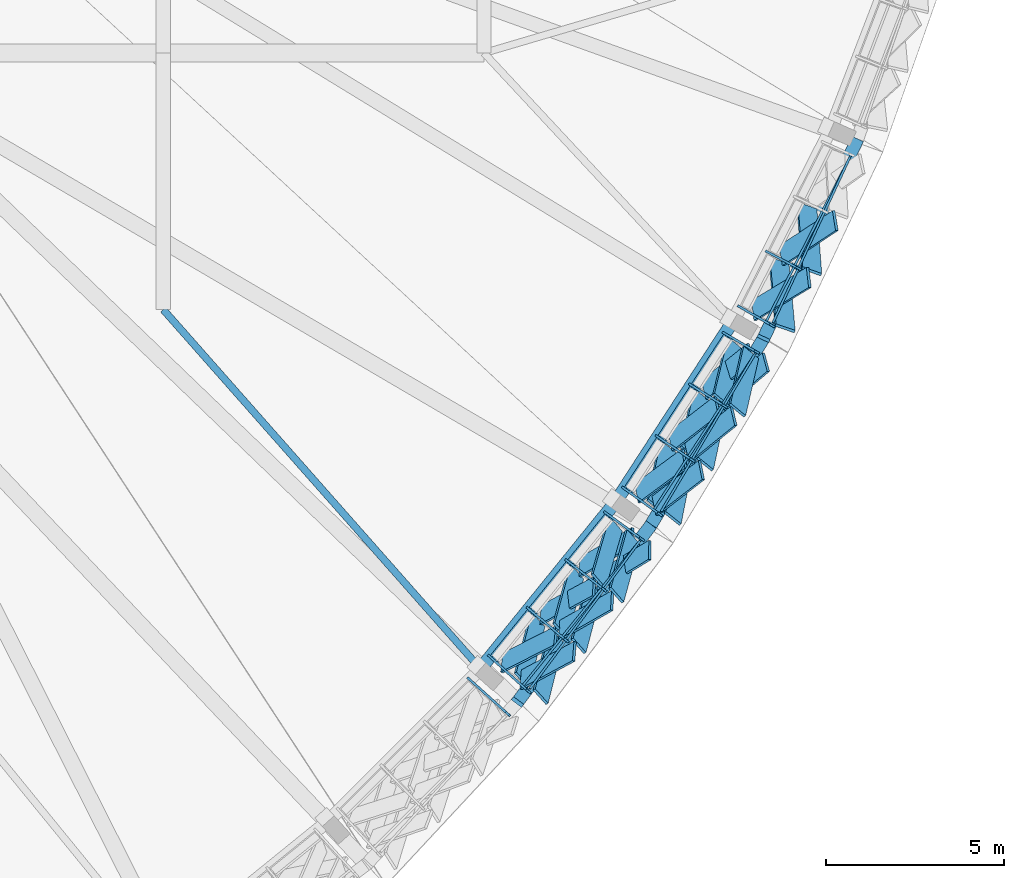
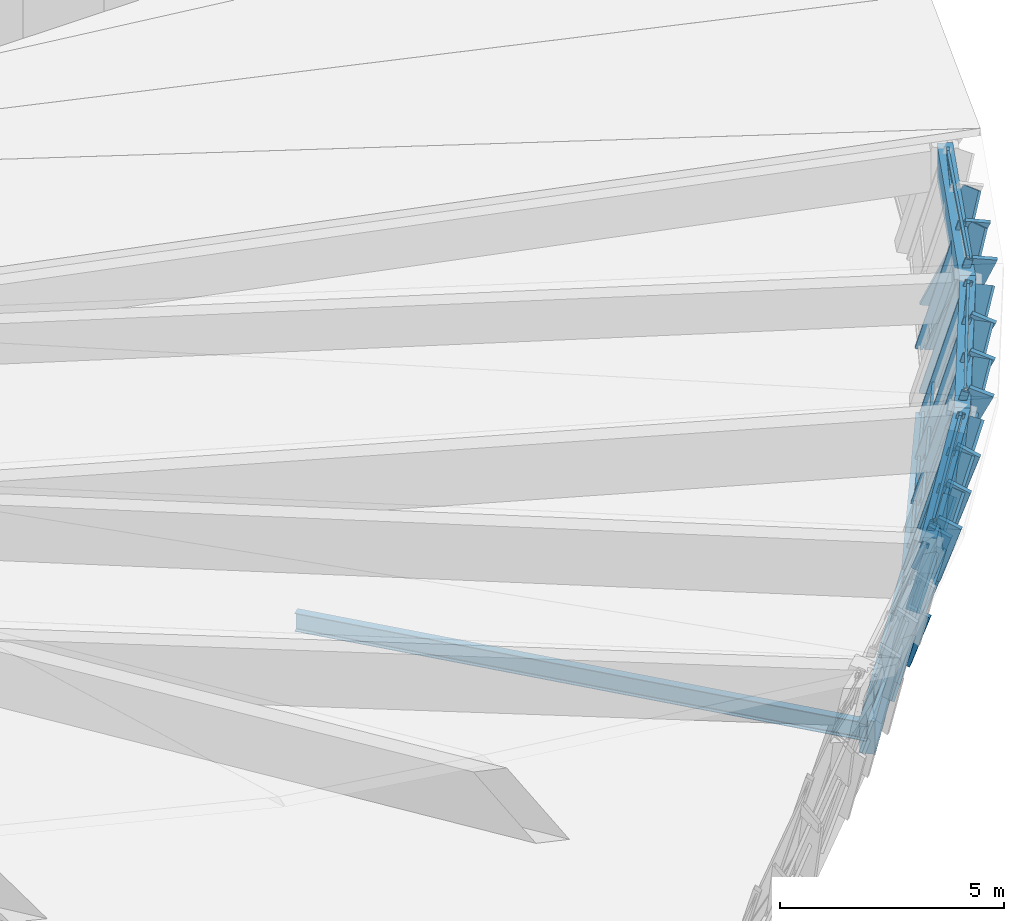
# One storey, part 6 of 11: 49 members, 6 beams, 4 elements without a shape of their own.
"""IFC4 building model written with IfcOpenShell, lengths in metres."""

from ifc_helpers import new_model, si_unit, direction, frame, origin, origin_2d, place, context, subcontext, project, spatial, rectangle, hollow_rectangle, i_section, extrude, material, material_profile, profile_set, type_object, element, aggregate, save


model = new_model("IFC4")

# Units and contexts
model_context = context("Model", 3, precision=1e-05, world=origin(), true_north=direction((0.0, 1.0)))
body_context = subcontext(model_context, "Body", "Model", "MODEL_VIEW")
ifc_project = project(units=[si_unit("LENGTHUNIT", "METRE"), si_unit("AREAUNIT", "SQUARE_METRE"), si_unit("VOLUMEUNIT", "CUBIC_METRE"), si_unit("PLANEANGLEUNIT", "RADIAN"), si_unit("MASSUNIT", "GRAM", prefix="KILO")], contexts=[model_context])

# Site, building, storey
site_placement = place(None, origin())
site = spatial("IfcSite", under=ifc_project, at=site_placement, CompositionType="ELEMENT")
building_placement = place(site_placement, origin())
building = spatial("IfcBuilding", under=site, at=building_placement, Name="Chiffa Square Polytechnic", CompositionType="ELEMENT")
storey_placement = place(building_placement, frame((0.0, 0.0, 30.60009765625)))
storey = spatial("IfcBuildingStorey", under=building, at=storey_placement, Name="ROOF", CompositionType="ELEMENT", Elevation=30.60009765625)

# Beam
ifc_material_1 = material(Name="Steel S355", Category="steel")
ifc_material_profile_1 = material_profile(ifc_material_1, i_section(OverallWidth=0.199951171875, OverallDepth=0.5, WebThickness=0.01025390625, FlangeThickness=0.01611328125, FilletRadius=0.02099609375, at=origin_2d()), Name="IPE 500")
ifc_profile_set_1 = profile_set([ifc_material_profile_1], Name="Steel S355")
beam_type_1 = type_object("IfcBeamType", Name="BM-STL-IPE500", PredefinedType="BEAM", material=ifc_profile_set_1)
beam_1_placement = place(storey_placement, frame((166.10205078125, 18.720947265625, -1.22998046875), z_axis=(-0.661988438722, 0.749514047232, 0.0), x_axis=(-0.749514047232, -0.661988438722, 0.0)))
element("IfcBeam", 1, at=beam_1_placement, inside=storey, type_object=beam_type_1, Name="Prow attic radial tie girder BM-V1-RAD-ROOF-11", PredefinedType="BEAM", context=body_context, shape_type="SweptSolid", body=[
    extrude(i_section(OverallWidth=0.199951171875, OverallDepth=0.5, WebThickness=0.01025390625, FlangeThickness=0.01611328125, FilletRadius=0.02099609375, at=origin_2d()), origin(), (0.0, 0.0, 1.0), 13.447509765625),
])

# Curtain wall, member
ifc_material_2 = material(Name="Aluminium EN AW-6060 T66 and glulam shading", Category="wood")
curtain_wall_type_1 = type_object("IfcCurtainWallType", Name="CW-PROW-LEAN-300", PredefinedType="USERDEFINED", material=ifc_material_2)
curtain_wall_1_placement = place(storey_placement, origin())
curtain_wall_1 = element("IfcCurtainWall", 2, at=curtain_wall_1_placement, inside=storey, type_object=curtain_wall_type_1, Name="Outward-leaning diamond-fin prow curtain wall CW-V1-ROOF-119", ObjectType="CURTAIN WALL", PredefinedType="USERDEFINED")
ifc_material_3 = material(Name="Aluminium EN AW-6060 T66", Category="aluminium")
ifc_material_profile_2 = material_profile(ifc_material_3, hollow_rectangle(XDim=0.06494140625, YDim=0.179931640625, WallThickness=0.00390625, at=origin_2d()), Name="ALU 65x180x4")
ifc_profile_set_2 = profile_set([ifc_material_profile_2], Name="Aluminium EN AW-6060 T66")
member_type_1 = type_object("IfcMemberType", Name="CWM-ALU-75X180", PredefinedType="MULLION", material=ifc_profile_set_2)
member_1_placement = place(storey_placement, frame((165.798095703125, 18.4169921875, -0.75), z_axis=(0.202261788775, -0.182182642547, 0.962236797029), x_axis=(0.669263095759, 0.743025510097, 0.0)))
member_1 = element("IfcMember", 3, at=member_1_placement, type_object=member_type_1, Name="Leaning prow mullion CW-V1-ROOF-119-M03", PredefinedType="MULLION", context=body_context, shape_type="SweptSolid", body=[
    extrude(hollow_rectangle(XDim=0.06494140625, YDim=0.179931640625, WallThickness=0.00390625, at=origin_2d()), origin(), (0.0, 0.0, 1.0), 5.3134765625),
])
aggregate(curtain_wall_1, [member_1])

# Curtain wall, members
curtain_wall_type_2 = type_object("IfcCurtainWallType", Name="CW-PROW-LEAN-150", PredefinedType="USERDEFINED", material=ifc_material_2)
curtain_wall_2_placement = place(storey_placement, origin())
curtain_wall_2 = element("IfcCurtainWall", 4, at=curtain_wall_2_placement, inside=storey, type_object=curtain_wall_type_2, Name="Outward-leaning diamond-fin prow curtain wall CW-V1-ROOF-120", ObjectType="CURTAIN WALL", PredefinedType="USERDEFINED")
member_2_placement = place(storey_placement, frame((166.373046875, 19.054931640625, -0.75), z_axis=(0.202348228323, -0.182223677004, 0.962210853209), x_axis=(0.669188433461, 0.743092753647, 0.0)))
member_2 = element("IfcMember", 5, at=member_2_placement, type_object=member_type_1, Name="Leaning prow mullion CW-V1-ROOF-120-M00", PredefinedType="MULLION", context=body_context, shape_type="SweptSolid", body=[
    extrude(hollow_rectangle(XDim=0.06494140625, YDim=0.179931640625, WallThickness=0.00390625, at=origin_2d()), origin(), (0.0, 0.0, 1.0), 5.3134765625),
])
member_3_placement = place(storey_placement, frame((167.4599609375, 20.397705078125, -0.75), z_axis=(0.208319393809, -0.17488004783, 0.962299329229), x_axis=(0.642958729374, 0.765900824077, 0.0)))
member_3 = element("IfcMember", 6, at=member_3_placement, type_object=member_type_1, Name="Leaning prow mullion CW-V1-ROOF-120-M01", PredefinedType="MULLION", context=body_context, shape_type="SweptSolid", body=[
    extrude(hollow_rectangle(XDim=0.06494140625, YDim=0.179931640625, WallThickness=0.00390625, at=origin_2d()), origin(), (0.0, 0.0, 1.0), 5.05224609375),
])
member_4_placement = place(storey_placement, frame((168.547119140625, 21.740234375, -0.75), z_axis=(0.214260071148, -0.167484626365, 0.962310512175), x_axis=(0.615858536596, 0.78785675278, 0.0)))
member_4 = element("IfcMember", 7, at=member_4_placement, type_object=member_type_1, Name="Leaning prow mullion CW-V1-ROOF-120-M02", PredefinedType="MULLION", context=body_context, shape_type="SweptSolid", body=[
    extrude(hollow_rectangle(XDim=0.06494140625, YDim=0.179931640625, WallThickness=0.00390625, at=origin_2d()), origin(), (0.0, 0.0, 1.0), 4.79150390625),
])
member_5_placement = place(storey_placement, frame((169.634033203125, 23.0830078125, -0.75), z_axis=(0.220215937418, -0.160083569872, 0.962225644828), x_axis=(0.587995167973, 0.808864440089, 0.0)))
member_5 = element("IfcMember", 8, at=member_5_placement, type_object=member_type_1, Name="Leaning prow mullion CW-V1-ROOF-120-M03", PredefinedType="MULLION", context=body_context, shape_type="SweptSolid", body=[
    extrude(hollow_rectangle(XDim=0.06494140625, YDim=0.179931640625, WallThickness=0.00390625, at=origin_2d()), origin(), (0.0, 0.0, 1.0), 4.531005859375),
])

curtain_wall_3_placement = place(storey_placement, origin())
curtain_wall_3 = element("IfcCurtainWall", 9, at=curtain_wall_3_placement, inside=storey, type_object=curtain_wall_type_1, Name="Outward-leaning diamond-fin prow curtain wall CW-V1-ROOF-121", ObjectType="CURTAIN WALL", PredefinedType="USERDEFINED")
member_6_placement = place(storey_placement, frame((170.138916015625, 23.778076171875, -0.75), z_axis=(0.220320371841, -0.160027269349, 0.962211103042), x_axis=(0.587677444687, 0.809095310211, 0.0)))
member_6 = element("IfcMember", 10, at=member_6_placement, type_object=member_type_1, Name="Leaning prow mullion CW-V1-ROOF-121-M00", PredefinedType="MULLION", context=body_context, shape_type="SweptSolid", body=[
    extrude(hollow_rectangle(XDim=0.06494140625, YDim=0.179931640625, WallThickness=0.00390625, at=origin_2d()), origin(), (0.0, 0.0, 1.0), 4.531005859375),
])
member_7_placement = place(storey_placement, frame((171.080078125, 25.226806640625, -0.75), z_axis=(0.225461824855, -0.152131178257, 0.962300924937), x_axis=(0.559332528809, 0.828943376966, 0.0)))
member_7 = element("IfcMember", 11, at=member_7_placement, type_object=member_type_1, Name="Leaning prow mullion CW-V1-ROOF-121-M01", PredefinedType="MULLION", context=body_context, shape_type="SweptSolid", body=[
    extrude(hollow_rectangle(XDim=0.06494140625, YDim=0.179931640625, WallThickness=0.00390625, at=origin_2d()), origin(), (0.0, 0.0, 1.0), 4.284912109375),
])
member_8_placement = place(storey_placement, frame((172.02099609375, 26.67529296875, -0.75), z_axis=(0.230603550643, -0.144164998239, 0.962308919066), x_axis=(0.530098830106, 0.847935864509, 0.0)))
member_8 = element("IfcMember", 12, at=member_8_placement, type_object=member_type_1, Name="Leaning prow mullion CW-V1-ROOF-121-M02", PredefinedType="MULLION", context=body_context, shape_type="SweptSolid", body=[
    extrude(hollow_rectangle(XDim=0.06494140625, YDim=0.179931640625, WallThickness=0.00390625, at=origin_2d()), origin(), (0.0, 0.0, 1.0), 4.0390625),
])
member_9_placement = place(storey_placement, frame((172.9619140625, 28.1240234375, -0.75), z_axis=(0.235699424806, -0.136193332302, 0.96223549996), x_axis=(0.500309111335, 0.865846864702, 0.0)))
member_9 = element("IfcMember", 13, at=member_9_placement, type_object=member_type_1, Name="Leaning prow mullion CW-V1-ROOF-121-M03", PredefinedType="MULLION", context=body_context, shape_type="SweptSolid", body=[
    extrude(hollow_rectangle(XDim=0.06494140625, YDim=0.179931640625, WallThickness=0.00390625, at=origin_2d()), origin(), (0.0, 0.0, 1.0), 3.793212890625),
])

curtain_wall_4_placement = place(storey_placement, origin())
curtain_wall_4 = element("IfcCurtainWall", 14, at=curtain_wall_4_placement, inside=storey, type_object=curtain_wall_type_2, Name="Outward-leaning diamond-fin prow curtain wall CW-V1-ROOF-122", ObjectType="CURTAIN WALL", PredefinedType="USERDEFINED")
member_10_placement = place(storey_placement, frame((173.39111328125, 28.867919921875, -0.75), z_axis=(0.23569735823, -0.136256501194, 0.962227063227), x_axis=(0.500486337509, 0.865744434557, 0.0)))
member_10 = element("IfcMember", 15, at=member_10_placement, type_object=member_type_1, Name="Leaning prow mullion CW-V1-ROOF-122-M00", PredefinedType="MULLION", context=body_context, shape_type="SweptSolid", body=[
    extrude(hollow_rectangle(XDim=0.06494140625, YDim=0.179931640625, WallThickness=0.00390625, at=origin_2d()), origin(), (0.0, 0.0, 1.0), 3.793212890625),
])
member_11_placement = place(storey_placement, frame((174.17529296875, 30.4072265625, -0.75), z_axis=(0.240128563221, -0.127771689132, 0.9622955204), x_axis=(0.469738281322, 0.882805724415, 0.0)))
member_11 = element("IfcMember", 16, at=member_11_placement, type_object=member_type_1, Name="Leaning prow mullion CW-V1-ROOF-122-M01", PredefinedType="MULLION", context=body_context, shape_type="SweptSolid", body=[
    extrude(hollow_rectangle(XDim=0.06494140625, YDim=0.179931640625, WallThickness=0.00390625, at=origin_2d()), origin(), (0.0, 0.0, 1.0), 3.5634765625),
])

# Member
ifc_material_4 = material(Name="Glulam GL28h", Category="wood")
ifc_material_profile_3 = material_profile(ifc_material_4, rectangle(XDim=0.080078125, YDim=0.580078125, at=origin_2d()), Name="GL28h 80x580")
ifc_profile_set_3 = profile_set([ifc_material_profile_3], Name="Glulam GL28h")
member_type_2 = type_object("IfcMemberType", Name="CWM-GL-80X580", PredefinedType="MULLION", material=ifc_profile_set_3)
member_12_placement = place(storey_placement, frame((166.73291015625, 18.885009765625, -0.710205078125), z_axis=(0.508649334685, 0.259798058409, 0.820841533532), x_axis=(-0.854356052771, 0.270284584029, 0.443871579097)))
member_12 = element("IfcMember", 17, at=member_12_placement, type_object=member_type_2, Name="Diamond glulam fin CW-V1-ROOF-120-DF01A", PredefinedType="MULLION", context=body_context, shape_type="SweptSolid", body=[
    extrude(rectangle(XDim=0.080078125, YDim=0.580078125, at=origin_2d()), origin(), (0.0, 0.0, 1.0), 2.921630859375),
])

member_13_placement = place(storey_placement, frame((167.699951171875, 20.0810546875, -0.710205078125), z_axis=(-0.144079464966, -0.548191112255, 0.823849265472), x_axis=(0.771397282931, 0.459251451079, 0.440493287768)))
member_13 = element("IfcMember", 18, at=member_13_placement, type_object=member_type_2, Name="Diamond glulam fin CW-V1-ROOF-120-DF01B", PredefinedType="MULLION", context=body_context, shape_type="SweptSolid", body=[
    extrude(rectangle(XDim=0.080078125, YDim=0.580078125, at=origin_2d()), origin(), (0.0, 0.0, 1.0), 3.046630859375),
])

member_14_placement = place(storey_placement, frame((167.260986328125, 18.410888671875, 1.7998046875), z_axis=(0.520602277702, 0.280794579488, 0.806304950116), x_axis=(-0.850258236194, 0.256424442073, 0.45968188706)))
member_14 = element("IfcMember", 19, at=member_14_placement, type_object=member_type_2, Name="Diamond glulam fin CW-V1-ROOF-120-DF02A", PredefinedType="MULLION", context=body_context, shape_type="SweptSolid", body=[
    extrude(rectangle(XDim=0.080078125, YDim=0.580078125, at=origin_2d()), origin(), (0.0, 0.0, 1.0), 2.835205078125),
])

member_15_placement = place(storey_placement, frame((168.218994140625, 19.64404296875, 1.68798828125), z_axis=(-0.135873169409, -0.540708708314, 0.83016418532), x_axis=(0.767577043875, 0.472334035642, 0.433273632352)))
member_15 = element("IfcMember", 20, at=member_15_placement, type_object=member_type_2, Name="Diamond glulam fin CW-V1-ROOF-120-DF02B", PredefinedType="MULLION", context=body_context, shape_type="SweptSolid", body=[
    extrude(rectangle(XDim=0.080078125, YDim=0.580078125, at=origin_2d()), origin(), (0.0, 0.0, 1.0), 3.156982421875),
])

member_16_placement = place(storey_placement, frame((167.820068359375, 20.22802734375, -0.710205078125), z_axis=(0.521697936545, 0.283029561796, 0.80481397239), x_axis=(-0.849862370775, 0.254903365001, 0.461257222439)))
member_16 = element("IfcMember", 21, at=member_16_placement, type_object=member_type_2, Name="Diamond glulam fin CW-V1-ROOF-120-DF03A", PredefinedType="MULLION", context=body_context, shape_type="SweptSolid", body=[
    extrude(rectangle(XDim=0.080078125, YDim=0.580078125, at=origin_2d()), origin(), (0.0, 0.0, 1.0), 2.8232421875),
])

member_17_placement = place(storey_placement, frame((168.7880859375, 21.424072265625, -0.710205078125), z_axis=(-0.154404830104, -0.55721093721, 0.815889159073), x_axis=(0.775787670245, 0.44298535539, 0.449352273396)))
member_17 = element("IfcMember", 22, at=member_17_placement, type_object=member_type_2, Name="Diamond glulam fin CW-V1-ROOF-120-DF03B", PredefinedType="MULLION", context=body_context, shape_type="SweptSolid", body=[
    extrude(rectangle(XDim=0.080078125, YDim=0.580078125, at=origin_2d()), origin(), (0.0, 0.0, 1.0), 2.922119140625),
])

member_18_placement = place(storey_placement, frame((168.3369140625, 19.7958984375, 1.673828125), z_axis=(0.533437354502, 0.304910474478, 0.788970336182), x_axis=(-0.844619885367, 0.242091574266, 0.477502794663)))
member_18 = element("IfcMember", 23, at=member_18_placement, type_object=member_type_2, Name="Diamond glulam fin CW-V1-ROOF-120-DF04A", PredefinedType="MULLION", context=body_context, shape_type="SweptSolid", body=[
    extrude(rectangle(XDim=0.080078125, YDim=0.580078125, at=origin_2d()), origin(), (0.0, 0.0, 1.0), 2.7392578125),
])

member_19_placement = place(storey_placement, frame((169.29296875, 21.027099609375, 1.56201171875), z_axis=(-0.144818395319, -0.5486668014, 0.823402922887), x_axis=(0.771788860345, 0.458108684383, 0.440997038924)))
member_19 = element("IfcMember", 24, at=member_19_placement, type_object=member_type_2, Name="Diamond glulam fin CW-V1-ROOF-120-DF04B", PredefinedType="MULLION", context=body_context, shape_type="SweptSolid", body=[
    extrude(rectangle(XDim=0.080078125, YDim=0.580078125, at=origin_2d()), origin(), (0.0, 0.0, 1.0), 3.03125),
])

member_20_placement = place(storey_placement, frame((168.906982421875, 21.571044921875, -0.710205078125), z_axis=(0.534648317517, 0.306894580115, 0.787379764327), x_axis=(-0.843986911322, 0.241169810011, 0.479085813041)))
member_20 = element("IfcMember", 25, at=member_20_placement, type_object=member_type_2, Name="Diamond glulam fin CW-V1-ROOF-120-DF05A", PredefinedType="MULLION", context=body_context, shape_type="SweptSolid", body=[
    extrude(rectangle(XDim=0.080078125, YDim=0.580078125, at=origin_2d()), origin(), (0.0, 0.0, 1.0), 2.72705078125),
])

member_21_placement = place(storey_placement, frame((169.875, 22.76708984375, -0.710205078125), z_axis=(-0.165745564502, -0.567161965851, 0.806756290549), x_axis=(0.779921947029, 0.425269353609, 0.459203368262)))
member_21 = element("IfcMember", 26, at=member_21_placement, type_object=member_type_2, Name="Diamond glulam fin CW-V1-ROOF-120-DF05B", PredefinedType="MULLION", context=body_context, shape_type="SweptSolid", body=[
    extrude(rectangle(XDim=0.080078125, YDim=0.580078125, at=origin_2d()), origin(), (0.0, 0.0, 1.0), 2.800048828125),
])

member_22_placement = place(storey_placement, frame((169.410888671875, 21.178955078125, 1.548828125), z_axis=(0.546618538172, 0.329504129785, 0.769828034162), x_axis=(-0.837269593316, 0.230107099526, 0.496014466378)))
member_22 = element("IfcMember", 27, at=member_22_placement, type_object=member_type_2, Name="Diamond glulam fin CW-V1-ROOF-120-DF06A", PredefinedType="MULLION", context=body_context, shape_type="SweptSolid", body=[
    extrude(rectangle(XDim=0.080078125, YDim=0.580078125, at=origin_2d()), origin(), (0.0, 0.0, 1.0), 2.6435546875),
])

member_23_placement = place(storey_placement, frame((170.364990234375, 22.407958984375, 1.43701171875), z_axis=(-0.154825403284, -0.557724282367, 0.815458594508), x_axis=(0.775903357211, 0.442303397853, 0.449824059512)))
member_23 = element("IfcMember", 28, at=member_23_placement, type_object=member_type_2, Name="Diamond glulam fin CW-V1-ROOF-120-DF06B", PredefinedType="MULLION", context=body_context, shape_type="SweptSolid", body=[
    extrude(rectangle(XDim=0.080078125, YDim=0.580078125, at=origin_2d()), origin(), (0.0, 0.0, 1.0), 2.90625),
])

member_24_placement = place(storey_placement, frame((170.513916015625, 23.64697265625, -0.710205078125), z_axis=(0.504470057238, 0.371927068975, 0.779217695329), x_axis=(-0.849202756315, 0.050573580358, 0.525639602425)))
member_24 = element("IfcMember", 29, at=member_24_placement, type_object=member_type_2, Name="Diamond glulam fin CW-V1-ROOF-121-DF01A", PredefinedType="MULLION", context=body_context, shape_type="SweptSolid", body=[
    extrude(rectangle(XDim=0.080078125, YDim=0.580078125, at=origin_2d()), origin(), (0.0, 0.0, 1.0), 2.602783203125),
])

member_25_placement = place(storey_placement, frame((171.35205078125, 24.93603515625, -0.710205078125), z_axis=(-0.128587467769, -0.605170390269, 0.785642451676), x_axis=(0.669691187536, 0.531308081904, 0.518869381869)))
member_25 = element("IfcMember", 30, at=member_25_placement, type_object=member_type_2, Name="Diamond glulam fin CW-V1-ROOF-121-DF01B", PredefinedType="MULLION", context=body_context, shape_type="SweptSolid", body=[
    extrude(rectangle(XDim=0.080078125, YDim=0.580078125, at=origin_2d()), origin(), (0.0, 0.0, 1.0), 2.715087890625),
])

member_26_placement = place(storey_placement, frame((171.0029296875, 23.29296875, 1.4228515625), z_axis=(0.513786157557, 0.395799906216, 0.761161098942), x_axis=(-0.838084321318, 0.041883093419, 0.543930580907)))
member_26 = element("IfcMember", 31, at=member_26_placement, type_object=member_type_2, Name="Diamond glulam fin CW-V1-ROOF-121-DF02A", PredefinedType="MULLION", context=body_context, shape_type="SweptSolid", body=[
    extrude(rectangle(XDim=0.080078125, YDim=0.580078125, at=origin_2d()), origin(), (0.0, 0.0, 1.0), 2.526611328125),
])

member_27_placement = place(storey_placement, frame((171.826904296875, 24.614990234375, 1.31787109375), z_axis=(-0.118573005774, -0.595031933216, 0.794907190026), x_axis=(0.664423102187, 0.547372080639, 0.508847468911)))
member_27 = element("IfcMember", 32, at=member_27_placement, type_object=member_type_2, Name="Diamond glulam fin CW-V1-ROOF-121-DF02B", PredefinedType="MULLION", context=body_context, shape_type="SweptSolid", body=[
    extrude(rectangle(XDim=0.080078125, YDim=0.580078125, at=origin_2d()), origin(), (0.0, 0.0, 1.0), 2.816650390625),
])

member_28_placement = place(storey_placement, frame((171.4560546875, 25.095947265625, -0.710205078125), z_axis=(0.514423011184, 0.398338120358, 0.759404837642), x_axis=(-0.837021543921, 0.040695273063, 0.545654496694)))
member_28 = element("IfcMember", 33, at=member_28_placement, type_object=member_type_2, Name="Diamond glulam fin CW-V1-ROOF-121-DF03A", PredefinedType="MULLION", context=body_context, shape_type="SweptSolid", body=[
    extrude(rectangle(XDim=0.080078125, YDim=0.580078125, at=origin_2d()), origin(), (0.0, 0.0, 1.0), 2.515380859375),
])

member_29_placement = place(storey_placement, frame((172.29296875, 26.385009765625, -0.710205078125), z_axis=(-0.140212648667, -0.617310805036, 0.774123881003), x_axis=(0.674912274315, 0.512475438651, 0.530907098049)))
member_29 = element("IfcMember", 34, at=member_29_placement, type_object=member_type_2, Name="Diamond glulam fin CW-V1-ROOF-121-DF03B", PredefinedType="MULLION", context=body_context, shape_type="SweptSolid", body=[
    extrude(rectangle(XDim=0.080078125, YDim=0.580078125, at=origin_2d()), origin(), (0.0, 0.0, 1.0), 2.60302734375),
])

member_30_placement = place(storey_placement, frame((171.927978515625, 24.778076171875, 1.304931640625), z_axis=(0.523887083723, 0.423089568855, 0.739281773233), x_axis=(-0.82454926111, 0.034167042552, 0.564757584461)))
member_30 = element("IfcMember", 35, at=member_30_placement, type_object=member_type_2, Name="Diamond glulam fin CW-V1-ROOF-121-DF04A", PredefinedType="MULLION", context=body_context, shape_type="SweptSolid", body=[
    extrude(rectangle(XDim=0.080078125, YDim=0.580078125, at=origin_2d()), origin(), (0.0, 0.0, 1.0), 2.44140625),
])

member_31_placement = place(storey_placement, frame((172.75, 26.097900390625, 1.199951171875), z_axis=(-0.129256291233, -0.606058344558, 0.784847815929), x_axis=(0.66995466837, 0.530148588545, 0.5197145528)))
member_31 = element("IfcMember", 36, at=member_31_placement, type_object=member_type_2, Name="Diamond glulam fin CW-V1-ROOF-121-DF04B", PredefinedType="MULLION", context=body_context, shape_type="SweptSolid", body=[
    extrude(rectangle(XDim=0.080078125, YDim=0.580078125, at=origin_2d()), origin(), (0.0, 0.0, 1.0), 2.700927734375),
])

member_32_placement = place(storey_placement, frame((172.39697265625, 26.544921875, -0.710205078125), z_axis=(0.52502569902, 0.425886543685, 0.736864076527), x_axis=(-0.82304644451, 0.03366286963, 0.566975626802)))
member_32 = element("IfcMember", 37, at=member_32_placement, type_object=member_type_2, Name="Diamond glulam fin CW-V1-ROOF-121-DF05A", PredefinedType="MULLION", context=body_context, shape_type="SweptSolid", body=[
    extrude(rectangle(XDim=0.080078125, YDim=0.580078125, at=origin_2d()), origin(), (0.0, 0.0, 1.0), 2.4306640625),
])

member_33_placement = place(storey_placement, frame((173.23388671875, 27.833984375, -0.710205078125), z_axis=(-0.153107762675, -0.630737413628, 0.760741958918), x_axis=(0.679771617294, 0.491529652733, 0.544342859607)))
member_33 = element("IfcMember", 38, at=member_33_placement, type_object=member_type_2, Name="Diamond glulam fin CW-V1-ROOF-121-DF05B", PredefinedType="MULLION", context=body_context, shape_type="SweptSolid", body=[
    extrude(rectangle(XDim=0.080078125, YDim=0.580078125, at=origin_2d()), origin(), (0.0, 0.0, 1.0), 2.493896484375),
])

member_34_placement = place(storey_placement, frame((172.85205078125, 26.260986328125, 1.18701171875), z_axis=(0.533893506123, 0.451588806226, 0.714860317972), x_axis=(-0.809474883272, 0.028654514451, 0.586454885011)))
member_34 = element("IfcMember", 39, at=member_34_placement, type_object=member_type_2, Name="Diamond glulam fin CW-V1-ROOF-121-DF06A", PredefinedType="MULLION", context=body_context, shape_type="SweptSolid", body=[
    extrude(rectangle(XDim=0.080078125, YDim=0.580078125, at=origin_2d()), origin(), (0.0, 0.0, 1.0), 2.358154296875),
])

member_35_placement = place(storey_placement, frame((173.673095703125, 27.580078125, 1.080810546875), z_axis=(-0.141338544175, -0.61830901792, 0.77312183664), x_axis=(0.675432832015, 0.510722658794, 0.531933130412)))
member_35 = element("IfcMember", 40, at=member_35_placement, type_object=member_type_2, Name="Diamond glulam fin CW-V1-ROOF-121-DF06B", PredefinedType="MULLION", context=body_context, shape_type="SweptSolid", body=[
    extrude(rectangle(XDim=0.080078125, YDim=0.580078125, at=origin_2d()), origin(), (0.0, 0.0, 1.0), 2.591064453125),
])

member_36_placement = place(storey_placement, frame((173.778076171875, 28.777099609375, -0.710205078125), z_axis=(0.403173735164, 0.241993963437, 0.882547370362), x_axis=(-0.90786792068, -0.015431449356, 0.418972205487)))
member_36 = element("IfcMember", 41, at=member_36_placement, type_object=member_type_2, Name="Diamond glulam fin CW-V1-ROOF-122-DF01A", PredefinedType="MULLION", context=body_context, shape_type="SweptSolid", body=[
    extrude(rectangle(XDim=0.080078125, YDim=0.580078125, at=origin_2d()), origin(), (0.0, 0.0, 1.0), 3.8095703125),
])

member_37_placement = place(storey_placement, frame((174.47607421875, 30.14697265625, -0.710205078125), z_axis=(0.043194640568, -0.465191718925, 0.884155465781), x_axis=(0.37921044375, 0.826388044781, 0.416271832814)))
member_37 = element("IfcMember", 42, at=member_37_placement, type_object=member_type_2, Name="Diamond glulam fin CW-V1-ROOF-122-DF01B", PredefinedType="MULLION", context=body_context, shape_type="SweptSolid", body=[
    extrude(rectangle(XDim=0.080078125, YDim=0.580078125, at=origin_2d()), origin(), (0.0, 0.0, 1.0), 4.0244140625),
])

member_38_placement = place(storey_placement, frame((174.56298828125, 30.31591796875, -0.710205078125), z_axis=(0.413680369063, 0.271148432629, 0.869107058845), x_axis=(-0.896528725223, -0.044811778429, 0.440713228034)))
member_38 = element("IfcMember", 43, at=member_38_placement, type_object=member_type_2, Name="Diamond glulam fin CW-V1-ROOF-122-DF02A", PredefinedType="MULLION", context=body_context, shape_type="SweptSolid", body=[
    extrude(rectangle(XDim=0.080078125, YDim=0.580078125, at=origin_2d()), origin(), (0.0, 0.0, 1.0), 3.6142578125),
])

member_39_placement = place(storey_placement, frame((175.260986328125, 31.68701171875, -0.710205078125), z_axis=(0.035531052341, -0.47687426849, 0.878253082187), x_axis=(0.394591873445, 0.814098653108, 0.426075857587)))
member_39 = element("IfcMember", 44, at=member_39_placement, type_object=member_type_2, Name="Diamond glulam fin CW-V1-ROOF-122-DF02B", PredefinedType="MULLION", context=body_context, shape_type="SweptSolid", body=[
    extrude(rectangle(XDim=0.080078125, YDim=0.580078125, at=origin_2d()), origin(), (0.0, 0.0, 1.0), 3.7998046875),
])

ifc_material_profile_4 = material_profile(ifc_material_3, hollow_rectangle(XDim=0.06494140625, YDim=0.139892578125, WallThickness=0.00390625, at=origin_2d()), Name="ALU 65x140x4")
ifc_profile_set_4 = profile_set([ifc_material_profile_4], Name="Aluminium EN AW-6060 T66")
member_type_3 = type_object("IfcMemberType", Name="CWT-ALU-75X140", PredefinedType="USERDEFINED", material=ifc_profile_set_4)
member_40_placement = place(storey_placement, frame((166.38134765625, 19.04736328125, -0.710205078125), z_axis=(0.629238871604, 0.777211967524, 0.0), x_axis=(-0.777211967524, 0.629238871604, 0.0)))
member_40 = element("IfcMember", 45, at=member_40_placement, type_object=member_type_3, Name="Leaning prow transom CW-V1-ROOF-120-T01", ObjectType="TRANSOM", PredefinedType="USERDEFINED", context=body_context, shape_type="SweptSolid", body=[
    extrude(hollow_rectangle(XDim=0.06494140625, YDim=0.139892578125, WallThickness=0.00390625, at=origin_2d()), origin(), (0.0, 0.0, 1.0), 5.18408203125),
])

member_41_placement = place(storey_placement, frame((166.5517578125, 18.89404296875, 0.099853515625), z_axis=(0.629223851798, 0.777224127474, 0.0), x_axis=(-0.777224127474, 0.629223851798, 0.0)))
member_41 = element("IfcMember", 46, at=member_41_placement, type_object=member_type_3, Name="Leaning prow transom CW-V1-ROOF-120-T02", ObjectType="TRANSOM", PredefinedType="USERDEFINED", context=body_context, shape_type="SweptSolid", body=[
    extrude(hollow_rectangle(XDim=0.06494140625, YDim=0.139892578125, WallThickness=0.00390625, at=origin_2d()), origin(), (0.0, 0.0, 1.0), 5.207763671875),
])

member_42_placement = place(storey_placement, frame((167.281494140625, 18.23681640625, 3.56982421875), z_axis=(0.629203518841, 0.777240588157, 0.0), x_axis=(-0.777240588157, 0.629203518841, 0.0)))
member_42 = element("IfcMember", 47, at=member_42_placement, type_object=member_type_3, Name="Leaning prow transom CW-V1-ROOF-120-T03", ObjectType="TRANSOM", PredefinedType="USERDEFINED", context=body_context, shape_type="SweptSolid", body=[
    extrude(hollow_rectangle(XDim=0.06494140625, YDim=0.139892578125, WallThickness=0.00390625, at=origin_2d()), origin(), (0.0, 0.0, 1.0), 5.310302734375),
])

member_43_placement = place(storey_placement, frame((167.488037109375, 18.158203125, 4.31298828125), z_axis=(0.590403238204, 0.794109892115, -0.14426883088), x_axis=(-0.802505276142, 0.59664502157, 0.0)))
member_43 = element("IfcMember", 48, at=member_43_placement, type_object=member_type_3, Name="Swept prow eave transom CW-V1-ROOF-120-TSLP", ObjectType="TRANSOM", PredefinedType="USERDEFINED", context=body_context, shape_type="SweptSolid", body=[
    extrude(hollow_rectangle(XDim=0.06494140625, YDim=0.139892578125, WallThickness=0.00390625, at=origin_2d()), origin(), (0.0, 0.0, 1.0), 5.220703125),
])

aggregate(curtain_wall_2, [member_2, member_3, member_4, member_5, member_40, member_41, member_42, member_43, member_12, member_13, member_14, member_15, member_16, member_17, member_18, member_19, member_20, member_21, member_22, member_23])

member_44_placement = place(storey_placement, frame((170.148193359375, 23.771240234375, -0.710205078125), z_axis=(0.544693641185, 0.838635103756, 0.0), x_axis=(-0.838635103756, 0.544693641185, 0.0)))
member_44 = element("IfcMember", 49, at=member_44_placement, type_object=member_type_3, Name="Leaning prow transom CW-V1-ROOF-121-T01", ObjectType="TRANSOM", PredefinedType="USERDEFINED", context=body_context, shape_type="SweptSolid", body=[
    extrude(hollow_rectangle(XDim=0.06494140625, YDim=0.139892578125, WallThickness=0.00390625, at=origin_2d()), origin(), (0.0, 0.0, 1.0), 5.18359375),
])

member_45_placement = place(storey_placement, frame((170.33349609375, 23.63671875, 0.099853515625), z_axis=(0.544739489693, 0.838605323361, 0.0), x_axis=(-0.838605323361, 0.544739489693, 0.0)))
member_45 = element("IfcMember", 50, at=member_45_placement, type_object=member_type_3, Name="Leaning prow transom CW-V1-ROOF-121-T02", ObjectType="TRANSOM", PredefinedType="USERDEFINED", context=body_context, shape_type="SweptSolid", body=[
    extrude(hollow_rectangle(XDim=0.06494140625, YDim=0.139892578125, WallThickness=0.00390625, at=origin_2d()), origin(), (0.0, 0.0, 1.0), 5.207275390625),
])

member_46_placement = place(storey_placement, frame((170.965576171875, 23.177734375, 2.85986328125), z_axis=(0.544699483474, 0.83863130916, 0.0), x_axis=(-0.83863130916, 0.544699483474, 0.0)))
member_46 = element("IfcMember", 51, at=member_46_placement, type_object=member_type_3, Name="Leaning prow transom CW-V1-ROOF-121-T03", ObjectType="TRANSOM", PredefinedType="USERDEFINED", context=body_context, shape_type="SweptSolid", body=[
    extrude(hollow_rectangle(XDim=0.06494140625, YDim=0.139892578125, WallThickness=0.00390625, at=origin_2d()), origin(), (0.0, 0.0, 1.0), 5.288330078125),
])

member_47_placement = place(storey_placement, frame((171.169189453125, 23.128173828125, 3.559814453125), z_axis=(0.506763714777, 0.851173086714, -0.136729345201), x_axis=(-0.859242714154, 0.511568136394, 0.0)))
member_47 = element("IfcMember", 52, at=member_47_placement, type_object=member_type_3, Name="Swept prow eave transom CW-V1-ROOF-121-TSLP", ObjectType="TRANSOM", PredefinedType="USERDEFINED", context=body_context, shape_type="SweptSolid", body=[
    extrude(hollow_rectangle(XDim=0.06494140625, YDim=0.139892578125, WallThickness=0.00390625, at=origin_2d()), origin(), (0.0, 0.0, 1.0), 5.1923828125),
])

aggregate(curtain_wall_3, [member_6, member_7, member_8, member_9, member_44, member_45, member_46, member_47, member_24, member_25, member_26, member_27, member_28, member_29, member_30, member_31, member_32, member_33, member_34, member_35])

member_48_placement = place(storey_placement, frame((174.113037109375, 28.450439453125, 2.197998046875), z_axis=(0.454018757319, 0.890992125668, 0.0), x_axis=(-0.890992125668, 0.454018757319, 0.0)))
member_48 = element("IfcMember", 53, at=member_48_placement, type_object=member_type_3, Name="Leaning prow transom CW-V1-ROOF-122-T03", ObjectType="TRANSOM", PredefinedType="USERDEFINED", context=body_context, shape_type="SweptSolid", body=[
    extrude(hollow_rectangle(XDim=0.06494140625, YDim=0.139892578125, WallThickness=0.00390625, at=origin_2d()), origin(), (0.0, 0.0, 1.0), 5.270751953125),
])

member_49_placement = place(storey_placement, frame((174.308837890625, 28.428955078125, 2.849853515625), z_axis=(0.417720952138, 0.899503158641, -0.128075265918), x_axis=(-0.906972575733, 0.42118968039, 0.0)))
member_49 = element("IfcMember", 54, at=member_49_placement, type_object=member_type_3, Name="Swept prow eave transom CW-V1-ROOF-122-TSLP", ObjectType="TRANSOM", PredefinedType="USERDEFINED", context=body_context, shape_type="SweptSolid", body=[
    extrude(hollow_rectangle(XDim=0.06494140625, YDim=0.139892578125, WallThickness=0.00390625, at=origin_2d()), origin(), (0.0, 0.0, 1.0), 5.167724609375),
])

aggregate(curtain_wall_4, [member_10, member_11, member_48, member_49, member_36, member_37, member_38, member_39])

# Beams
ifc_material_5 = material(Name="Glulam GL32c", Category="wood")
ifc_material_profile_5 = material_profile(ifc_material_5, rectangle(XDim=0.360107421875, YDim=0.89990234375, at=origin_2d()), Name="GL32c 360x900")
ifc_profile_set_5 = profile_set([ifc_material_profile_5], Name="Glulam GL32c")
beam_type_2 = type_object("IfcBeamType", Name="RB-GL-360X900", PredefinedType="SPANDREL", material=ifc_profile_set_5)
beam_2_placement = place(storey_placement, frame((167.139892578125, 17.787109375, 3.722900390625), z_axis=(0.597759669211, 0.792504013759, -0.120916359691), x_axis=(-0.798361834859, 0.602178030686, 0.0)))
element("IfcBeam", 55, at=beam_2_placement, inside=storey, type_object=beam_type_2, Name="Swept prow eave glulam girder RB-V1-PROW-ROOF-11", PredefinedType="SPANDREL", context=body_context, shape_type="SweptSolid", body=[
    extrude(rectangle(XDim=0.360107421875, YDim=0.89990234375, at=origin_2d()), origin(), (0.0, 0.0, 1.0), 6.226806640625),
])
beam_3_placement = place(storey_placement, frame((170.862060546875, 22.721923828125, 2.969970703125), z_axis=(0.513558554634, 0.850378301416, -0.1145179263), x_axis=(-0.856009834448, 0.516959537419, 0.0)))
element("IfcBeam", 56, at=beam_3_placement, inside=storey, type_object=beam_type_2, Name="Swept prow eave glulam girder RB-V1-PROW-ROOF-12", PredefinedType="SPANDREL", context=body_context, shape_type="SweptSolid", body=[
    extrude(rectangle(XDim=0.360107421875, YDim=0.89990234375, at=origin_2d()), origin(), (0.0, 0.0, 1.0), 6.199462890625),
])
beam_4_placement = place(storey_placement, frame((174.0458984375, 27.993896484375, 2.260009765625), z_axis=(0.424194675812, 0.89919939622, -0.107234895675), x_axis=(-0.904414509355, 0.426654890126, 0.0)))
element("IfcBeam", 57, at=beam_4_placement, inside=storey, type_object=beam_type_2, Name="Swept prow eave glulam girder RB-V1-PROW-ROOF-13", PredefinedType="SPANDREL", context=body_context, shape_type="SweptSolid", body=[
    extrude(rectangle(XDim=0.360107421875, YDim=0.89990234375, at=origin_2d()), origin(), (0.0, 0.0, 1.0), 6.17431640625),
])
beam_5_placement = place(storey_placement, frame((166.10205078125, 18.720947265625, -1.43017578125), z_axis=(0.629340012177, 0.777130072172, 0.0), x_axis=(-0.777130072172, 0.629340012177, 0.0)))
element("IfcBeam", 58, at=beam_5_placement, inside=storey, type_object=beam_type_2, Name="Prow attic perimeter beam RB-V1-ATTIC-11", PredefinedType="SPANDREL", context=body_context, shape_type="SweptSolid", body=[
    extrude(rectangle(XDim=0.360107421875, YDim=0.89990234375, at=origin_2d()), origin(), (0.0, 0.0, 1.0), 6.042724609375),
])
beam_6_placement = place(storey_placement, frame((169.905029296875, 23.4169921875, -1.43017578125), z_axis=(0.544609133556, 0.838689985422, 0.0), x_axis=(-0.838689985422, 0.544609133556, 0.0)))
element("IfcBeam", 59, at=beam_6_placement, inside=storey, type_object=beam_type_2, Name="Prow attic perimeter beam RB-V1-ATTIC-12", PredefinedType="SPANDREL", context=body_context, shape_type="SweptSolid", body=[
    extrude(rectangle(XDim=0.360107421875, YDim=0.89990234375, at=origin_2d()), origin(), (0.0, 0.0, 1.0), 6.04296875),
])

save(model, "model.ifc")
